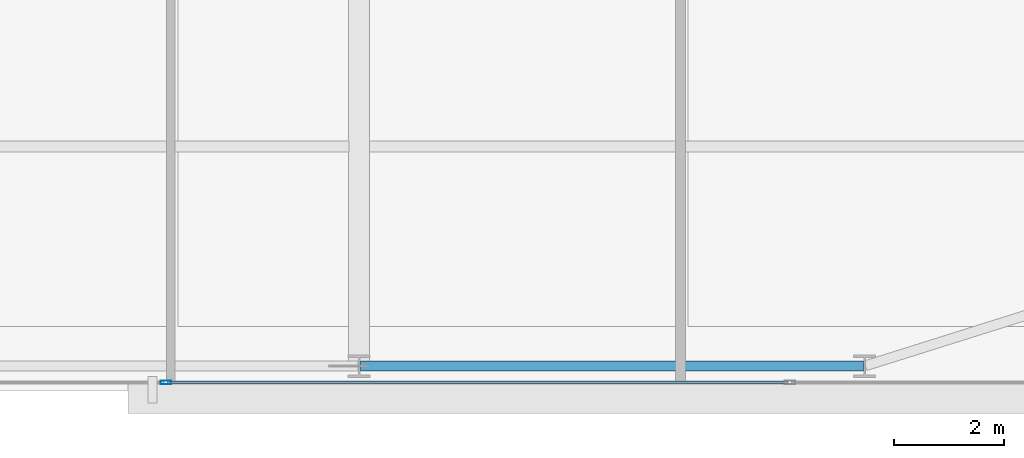
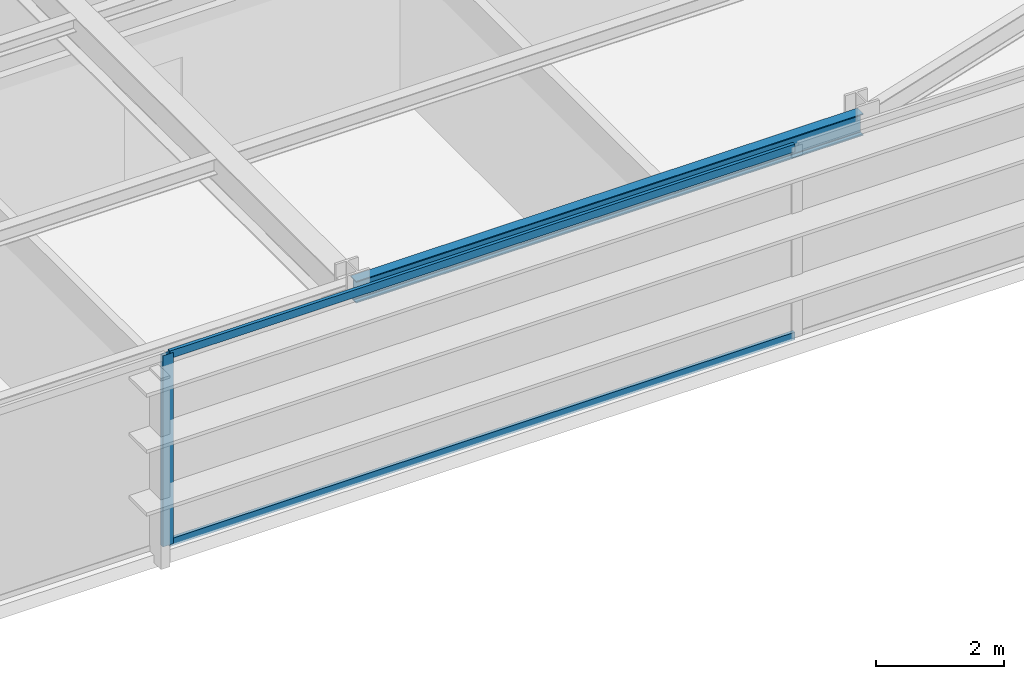
# One storey, part 12 of 32: 3 members, 1 beam, 1 element without a shape of its own.
"""IFC4 building model written with IfcOpenShell, lengths in metres."""

from ifc_helpers import new_model, si_unit, direction, frame, origin, origin_2d, place, context, subcontext, project, spatial, hollow_rectangle, i_section, extrude, source, transform, mapped, material, layer, layer_set, material_profile, profile_set, type_object, type_shapes, element, aggregate, save


model = new_model("IFC4")

# Units and contexts
model_context = context("Model", 3, precision=1e-05, world=origin(), true_north=direction((0.0, 1.0)))
body_context = subcontext(model_context, "Body", "Model", "MODEL_VIEW")
ifc_project = project(units=[si_unit("LENGTHUNIT", "METRE"), si_unit("AREAUNIT", "SQUARE_METRE"), si_unit("VOLUMEUNIT", "CUBIC_METRE"), si_unit("PLANEANGLEUNIT", "RADIAN"), si_unit("MASSUNIT", "GRAM", prefix="KILO")], contexts=[model_context])

# Site, building, storey
site_placement = place(None, origin())
site = spatial("IfcSite", under=ifc_project, at=site_placement, CompositionType="ELEMENT")
building_placement = place(site_placement, origin())
building = spatial("IfcBuilding", under=site, at=building_placement, Name="Varnel Quay Broadcast Tower", CompositionType="ELEMENT")
storey_placement = place(building_placement, frame((0.0, 0.0, 54.89990234375)))
storey = spatial("IfcBuildingStorey", under=building, at=storey_placement, Name="L12", CompositionType="ELEMENT", Elevation=54.89990234375)

# Beam
ifc_material_1 = material(Name="Structural Steel CSA G40.21 350W", Category="steel")
ifc_material_profile_1 = material_profile(ifc_material_1, i_section(OverallWidth=0.180908203125, OverallDepth=0.4169921875, WebThickness=0.010986328125, FlangeThickness=0.018310546875, FilletRadius=0.011962890625, at=origin_2d()), Name="W410X85")
ifc_profile_set_1 = profile_set([ifc_material_profile_1], Name="Structural Steel CSA G40.21 350W")
beam_type = type_object("IfcBeamType", Name="Beam_W410X85", PredefinedType="SPANDREL", material=ifc_profile_set_1)
shared_shape_1 = source(origin(), body_context, "Body", "SweptSolid", [
    extrude(i_section(OverallWidth=0.180908203125, OverallDepth=0.4169921875, WebThickness=0.010986328125, FlangeThickness=0.018310546875, FilletRadius=0.011962890625, at=origin_2d()), origin(), (0.0, 0.0, 1.0), 9.159912109375),
])
type_shapes(beam_type, [shared_shape_1])
beam_placement = place(storey_placement, frame((43.219970703125, 1.64990234375, 3.441650390625), z_axis=(1.0, 0.0, 0.0), x_axis=(0.0, 1.0, 0.0)))
element("IfcBeam", 1, at=beam_placement, inside=storey, type_object=beam_type, Name="L12 South Spandrel TC-S4-TC-S5", PredefinedType="SPANDREL", context=body_context, shape_type="MappedRepresentation", body=[
    mapped(shared_shape_1, transform((0.0, 0.0, 0.0), x_axis=(1.0, 0.0, 0.0), y_axis=(0.0, 1.0, 0.0), z_axis=(0.0, 0.0, 1.0), scale=1.0)),
])

# Curtain wall, members
ifc_material_2 = material(Name="Anodised Bronze Aluminium 6063-T6", Category="aluminium")
ifc_layer = layer(ifc_material_2, 0.18994140625, Name="Anodised Bronze Aluminium 6063-T6")
ifc_layer_set = layer_set([ifc_layer], Name="Anodised Bronze Aluminium 6063-T6")
curtain_wall_type = type_object("IfcCurtainWallType", Name="CW_LowerTower", PredefinedType="NOTDEFINED", material=ifc_layer_set)
curtain_wall_placement = place(storey_placement, origin())
curtain_wall = element("IfcCurtainWall", 2, at=curtain_wall_placement, inside=storey, type_object=curtain_wall_type, Name="L12 South Unitised Curtain Wall 1", PredefinedType="NOTDEFINED")
ifc_material_profile_2 = material_profile(ifc_material_2, hollow_rectangle(XDim=0.06005859375, YDim=0.14501953125, WallThickness=0.00341796875, at=origin_2d()), Name="ALU60X145X3.5")
ifc_profile_set_2 = profile_set([ifc_material_profile_2], Name="Anodised Bronze Aluminium 6063-T6")
member_type_1 = type_object("IfcMemberType", Name="Tran_CWS-02", PredefinedType="USERDEFINED", material=ifc_profile_set_2)
shared_shape_2 = source(origin(), body_context, "Body", "SweptSolid", [
    extrude(hollow_rectangle(XDim=0.06005859375, YDim=0.14501953125, WallThickness=0.00341796875, at=origin_2d()), origin(), (0.0, 0.0, 1.0), 11.289794921875),
])
type_shapes(member_type_1, [shared_shape_2])
member_1_placement = place(storey_placement, frame((39.715087890625, 1.35009765625, 0.030029296875), z_axis=(1.0, 0.0, 0.0), x_axis=(0.0, 1.0, 0.0)))
member_1 = element("IfcMember", 3, at=member_1_placement, type_object=member_type_1, Name="CWS-02 transom 4.1", ObjectType="TRANSOM", PredefinedType="USERDEFINED", context=body_context, shape_type="MappedRepresentation", body=[
    mapped(shared_shape_2, transform((0.0, 0.0, 0.0), x_axis=(1.0, 0.0, 0.0), y_axis=(0.0, 1.0, 0.0), z_axis=(0.0, 0.0, 1.0), scale=1.0)),
])
member_2_placement = place(storey_placement, frame((39.715087890625, 1.35009765625, 3.6201171875), z_axis=(1.0, 0.0, 0.0), x_axis=(0.0, 1.0, 0.0)))
member_2 = element("IfcMember", 4, at=member_2_placement, type_object=member_type_1, Name="CWS-02 transom 4.2", ObjectType="TRANSOM", PredefinedType="USERDEFINED", context=body_context, shape_type="MappedRepresentation", body=[
    mapped(shared_shape_2, transform((0.0, 0.0, 0.0), x_axis=(1.0, 0.0, 0.0), y_axis=(0.0, 1.0, 0.0), z_axis=(0.0, 0.0, 1.0), scale=1.0)),
])
ifc_material_profile_3 = material_profile(ifc_material_2, hollow_rectangle(XDim=0.070068359375, YDim=0.18994140625, WallThickness=0.00390625, at=origin_2d()), Name="ALU70X190X4")
ifc_profile_set_3 = profile_set([ifc_material_profile_3], Name="Anodised Bronze Aluminium 6063-T6")
member_type_2 = type_object("IfcMemberType", Name="Mull_CWS-02", PredefinedType="MULLION", material=ifc_profile_set_3)
shared_shape_3 = source(origin(), body_context, "Body", "SweptSolid", [
    extrude(hollow_rectangle(XDim=0.070068359375, YDim=0.18994140625, WallThickness=0.00390625, at=origin_2d()), origin(), (0.0, 0.0, 1.0), 3.650146484375),
])
type_shapes(member_type_2, [shared_shape_3])
member_3_placement = place(storey_placement, frame((39.679931640625, 1.35009765625, 0.0), z_axis=(0.0, 0.0, 1.0), x_axis=(0.0, 1.0, 0.0)))
member_3 = element("IfcMember", 5, at=member_3_placement, type_object=member_type_2, Name="CWS-02 mullion 4", PredefinedType="MULLION", context=body_context, shape_type="MappedRepresentation", body=[
    mapped(shared_shape_3, transform((0.0, 0.0, 0.0), x_axis=(1.0, 0.0, 0.0), y_axis=(0.0, 1.0, 0.0), z_axis=(0.0, 0.0, 1.0), scale=1.0)),
])
aggregate(curtain_wall, [member_3, member_1, member_2])

save(model, "model.ifc")
